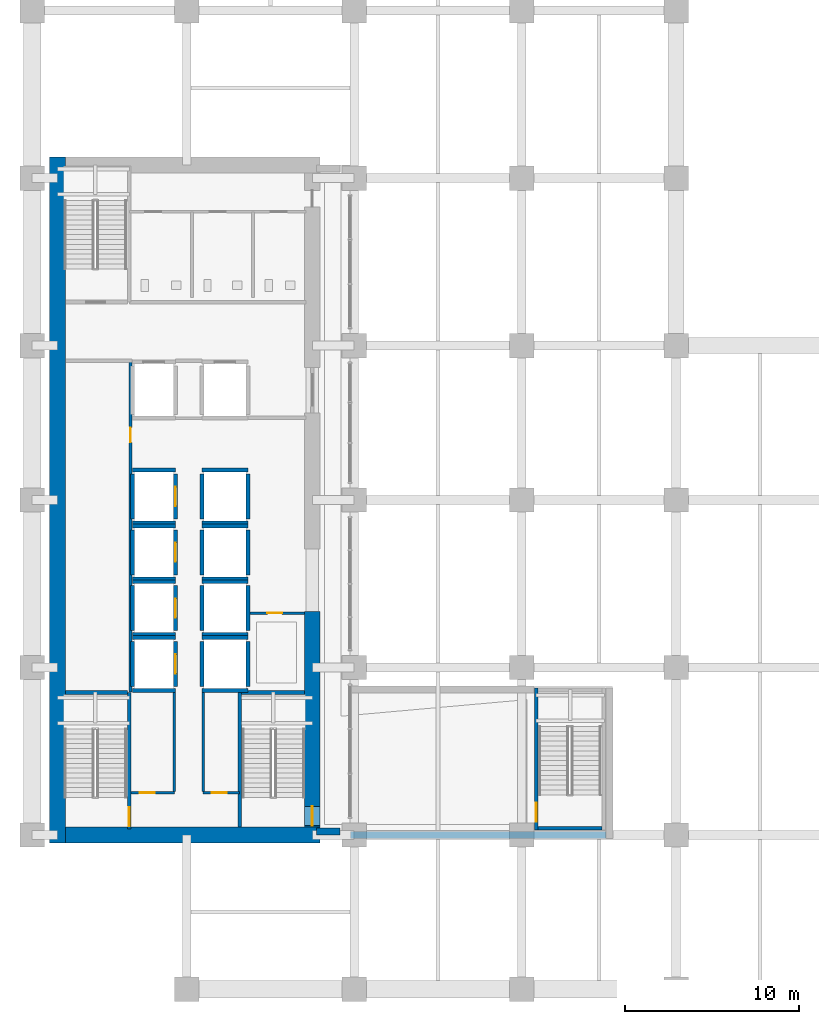
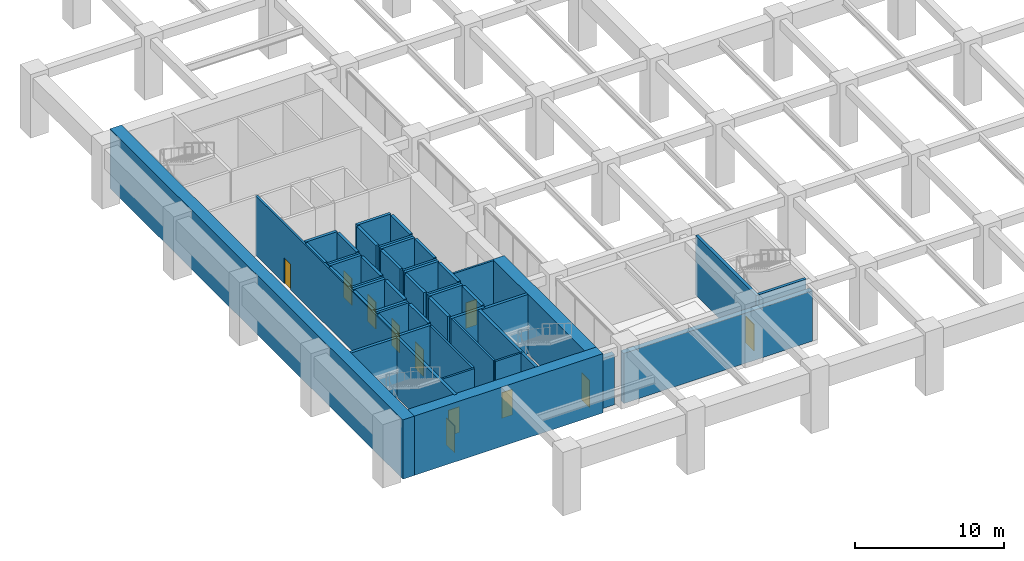
# One storey, part 5 of 22: 49 walls, 11 doors, 11 openings.
"""IFC4 building model written with IfcOpenShell, lengths in metres."""

from ifc_helpers import new_model, si_unit, direction, frame, frame_2d, origin, place, context, subcontext, project, spatial, rectangle, extrude, material, layer, layer_set, type_object, element, fill, save


model = new_model("IFC4")

# Units and contexts
model_context = context("Model", 3, precision=1e-05, world=origin(), true_north=direction((0.0, 1.0)))
body_context = subcontext(model_context, "Body", "Model", "MODEL_VIEW")
ifc_project = project(units=[si_unit("LENGTHUNIT", "METRE"), si_unit("AREAUNIT", "SQUARE_METRE"), si_unit("VOLUMEUNIT", "CUBIC_METRE"), si_unit("PLANEANGLEUNIT", "RADIAN"), si_unit("MASSUNIT", "GRAM", prefix="KILO")], contexts=[model_context])

# Site, building, storey
site_placement = place(None, origin())
site = spatial("IfcSite", under=ifc_project, at=site_placement, CompositionType="ELEMENT")
building_placement = place(site_placement, origin())
building = spatial("IfcBuilding", under=site, at=building_placement, Name="Norrvale University Quadrangle", CompositionType="ELEMENT")
storey_placement = place(building_placement, frame((0.0, 0.0, 5.199951171875)))
storey = spatial("IfcBuildingStorey", under=building, at=storey_placement, Name="L01", CompositionType="ELEMENT", Elevation=5.199951171875)

# Walls
ifc_material_1 = material(Name="Concrete C80/95", Category="concrete")
ifc_layer_1 = layer(ifc_material_1, 0.89990234375, Name="Concrete C80/95")
ifc_layer_set_1 = layer_set([ifc_layer_1], Name="Concrete C80/95")
wall_type_1 = type_object("IfcWallType", Name="Wall Core 900", PredefinedType="SHEAR", material=ifc_layer_set_1)
wall_1_placement = place(storey_placement, frame((2.64990234375, 9.60009765625, 0.0), z_axis=(0.0, 0.0, 1.0), x_axis=(1.0, 0.0, 0.0)))
element("IfcWall", 1, at=wall_1_placement, inside=storey, type_object=wall_type_1, Name="Tower Core Shear Wall L01-S", PredefinedType="SHEAR", context=body_context, shape_type="SweptSolid", body=[
    extrude(rectangle(XDim=14.60009765625, YDim=0.89990234375, at=frame_2d((7.300048828125, 0.0))), origin(), (0.0, 0.0, 1.0), 4.860107421875),
])
wall_2_placement = place(storey_placement, frame((2.199951171875, 9.14990234375, 0.0), z_axis=(0.0, 0.0, 1.0), x_axis=(0.0, 1.0, 0.0)))
element("IfcWall", 2, at=wall_2_placement, inside=storey, type_object=wall_type_1, Name="Tower Core Shear Wall L01-W", PredefinedType="SHEAR", context=body_context, shape_type="SweptSolid", body=[
    extrude(rectangle(XDim=39.300048828125, YDim=0.89990234375, at=frame_2d((19.64990234375, 0.0))), origin(), (0.0, 0.0, 1.0), 4.860107421875),
])

# Wall, opening, door
wall_3_placement = place(storey_placement, frame((16.800048828125, 10.050048828125, 0.0), z_axis=(0.0, 0.0, 1.0), x_axis=(0.0, 1.0, 0.0)))
wall_3 = element("IfcWall", 3, at=wall_3_placement, inside=storey, type_object=wall_type_1, Name="Tower Core Shear Wall L01-E1", PredefinedType="SHEAR", context=body_context, shape_type="SweptSolid", body=[
    extrude(rectangle(XDim=12.349853515625, YDim=0.89990234375, at=frame_2d((6.1748046875, 0.0))), origin(), (0.0, 0.0, 1.0), 4.860107421875),
])
opening_1_placement = place(wall_3_placement, frame((0.090087890625, 0.0, 0.0)))
opening_1 = element("IfcOpeningElement", 4, at=opening_1_placement, cuts=wall_3, Name="Opening D02", PredefinedType="OPENING", context=body_context, shape_type="SweptSolid", body=[
    extrude(rectangle(XDim=1.10009765625, YDim=2.199951171875, at=frame_2d((0.550048828125, 1.10009765625))), frame((0.0, 0.4619140625, 0.0), z_axis=(0.0, -1.0, 0.0), x_axis=(1.0, 0.0, 0.0)), (0.0, 0.0, 1.0), 0.923828125),
])
ifc_material_2 = material(Name="Hollow Steel 350W Fire Door", Category="steel")
door_type_1 = type_object("IfcDoorType", Name="Door Stair Exit 1100x2200", OperationType="NOTDEFINED", PredefinedType="DOOR", material=ifc_material_2)
door_1_placement = place(opening_1_placement, origin())
door_1 = element("IfcDoor", 5, at=door_1_placement, inside=storey, type_object=door_type_1, Name="Door Stair Exit 1100x2200 DR-L01-ST03", OperationType="SINGLE_SWING_LEFT", OverallHeight=2.199951171875, OverallWidth=1.10009765625, PredefinedType="DOOR", context=body_context, shape_type="SweptSolid", body=[
    extrude(rectangle(XDim=1.10009765625, YDim=2.199951171875, at=frame_2d((0.550048828125, 1.10009765625))), frame((0.0, 0.02490234375, 0.0), z_axis=(0.0, -1.0, 0.0), x_axis=(1.0, 0.0, 0.0)), (0.0, 0.0, 1.0), 0.050048828125),
])
fill(opening_1, door_1)

ifc_material_3 = material(Name="Fire-Rated Gypsum Stud Partition")
ifc_layer_2 = layer(ifc_material_3, 0.14990234375, Name="Fire-Rated Gypsum Stud Partition")
ifc_layer_set_2 = layer_set([ifc_layer_2], Name="Fire-Rated Gypsum Stud Partition")
wall_type_2 = type_object("IfcWallType", Name="Wall Gypsum Corridor 150", PredefinedType="PARTITIONING", material=ifc_layer_set_2)
wall_4_placement = place(storey_placement, frame((6.419921875, 12.02001953125, 0.0), z_axis=(0.0, 0.0, 1.0), x_axis=(1.0, 0.0, 0.0)))
wall_4 = element("IfcWall", 6, at=wall_4_placement, inside=storey, type_object=wall_type_2, Name="Interior Partition WL-L01-SC-NL", PredefinedType="PARTITIONING", context=body_context, shape_type="SweptSolid", body=[
    extrude(rectangle(XDim=2.47998046875, YDim=0.14990234375, at=frame_2d((1.239990234375, 0.0))), origin(), (0.0, 0.0, 1.0), 4.860107421875),
])
opening_2_placement = place(wall_4_placement, frame((0.5, 0.0, 0.0)))
opening_2 = element("IfcOpeningElement", 7, at=opening_2_placement, cuts=wall_4, Name="Opening D10", PredefinedType="OPENING", context=body_context, shape_type="SweptSolid", body=[
    extrude(rectangle(XDim=0.85009765625, YDim=2.10009765625, at=frame_2d((0.425048828125, 1.050048828125))), frame((0.0, 0.0869140625, 0.0), z_axis=(0.0, -1.0, 0.0), x_axis=(1.0, 0.0, 0.0)), (0.0, 0.0, 1.0), 0.173828125),
])
ifc_material_4 = material(Name="Hollow Steel 350W Riser Fire Door", Category="steel")
door_type_2 = type_object("IfcDoorType", Name="Door Riser 850x2100", OperationType="NOTDEFINED", PredefinedType="DOOR", material=ifc_material_4)
door_2_placement = place(opening_2_placement, origin())
door_2 = element("IfcDoor", 8, at=door_2_placement, inside=storey, type_object=door_type_2, Name="Door Riser 850x2100 DR-L01-ELEC", OperationType="SINGLE_SWING_LEFT", OverallHeight=2.10009765625, OverallWidth=0.85009765625, PredefinedType="DOOR", context=body_context, shape_type="SweptSolid", body=[
    extrude(rectangle(XDim=0.85009765625, YDim=2.10009765625, at=frame_2d((0.425048828125, 1.050048828125))), frame((0.0, 0.02490234375, 0.0), z_axis=(0.0, -1.0, 0.0), x_axis=(1.0, 0.0, 0.0)), (0.0, 0.0, 1.0), 0.050048828125),
])
fill(opening_2, door_2)

wall_5_placement = place(storey_placement, frame((10.550048828125, 12.02001953125, 0.0), z_axis=(0.0, 0.0, 1.0), x_axis=(1.0, 0.0, 0.0)))
wall_5 = element("IfcWall", 9, at=wall_5_placement, inside=storey, type_object=wall_type_2, Name="Interior Partition WL-L01-SC-NR", PredefinedType="PARTITIONING", context=body_context, shape_type="SweptSolid", body=[
    extrude(rectangle(XDim=2.079833984375, YDim=0.14990234375, at=frame_2d((1.0400390625, 0.0))), origin(), (0.0, 0.0, 1.0), 4.860107421875),
])
opening_3_placement = place(wall_5_placement, frame((0.5, 0.0, 0.0)))
opening_3 = element("IfcOpeningElement", 10, at=opening_3_placement, cuts=wall_5, Name="Opening D10", PredefinedType="OPENING", context=body_context, shape_type="SweptSolid", body=[
    extrude(rectangle(XDim=0.85009765625, YDim=2.10009765625, at=frame_2d((0.425048828125, 1.050048828125))), frame((0.0, 0.0869140625, 0.0), z_axis=(0.0, -1.0, 0.0), x_axis=(1.0, 0.0, 0.0)), (0.0, 0.0, 1.0), 0.173828125),
])
door_3_placement = place(opening_3_placement, origin())
door_3 = element("IfcDoor", 11, at=door_3_placement, inside=storey, type_object=door_type_2, Name="Door Riser 850x2100 DR-L01-IDF", OperationType="SINGLE_SWING_RIGHT", OverallHeight=2.10009765625, OverallWidth=0.85009765625, PredefinedType="DOOR", context=body_context, shape_type="SweptSolid", body=[
    extrude(rectangle(XDim=0.85009765625, YDim=2.10009765625, at=frame_2d((0.425048828125, 1.050048828125))), frame((0.0, 0.02490234375, 0.0), z_axis=(0.0, -1.0, 0.0), x_axis=(1.0, 0.0, 0.0)), (0.0, 0.0, 1.0), 0.050048828125),
])
fill(opening_3, door_3)

# Walls
for number, where, z_axis, x_axis, name in (
    (12, (8.89990234375, 12.094970703125, 0.0), (0.0, 0.0, 1.0), (0.0, 1.0, 0.0), "Interior Partition WL-L01-SC-WL"),
    (13, (10.550048828125, 12.094970703125, 0.0), (0.0, 0.0, 1.0), (0.0, 1.0, 0.0), "Interior Partition WL-L01-SC-WR"),
):
    element("IfcWall", number, at=place(storey_placement, frame(where, z_axis=z_axis, x_axis=x_axis)), inside=storey, type_object=wall_type_2, Name=name, PredefinedType="PARTITIONING", context=body_context, shape_type="SweptSolid", body=[
        extrude(rectangle(XDim=5.679931640625, YDim=0.14990234375, at=frame_2d((2.83984375, 0.0))), origin(), (0.0, 0.0, 1.0), 4.860107421875),
    ])

# Wall, opening, door
wall_6_placement = place(storey_placement, frame((13.22509765625, 22.320068359375, 0.0), z_axis=(0.0, 0.0, 1.0), x_axis=(1.0, 0.0, 0.0)))
wall_6 = element("IfcWall", 14, at=wall_6_placement, inside=storey, type_object=wall_type_2, Name="Interior Partition WL-L01-JAN-N", PredefinedType="PARTITIONING", context=body_context, shape_type="SweptSolid", body=[
    extrude(rectangle(XDim=3.119873046875, YDim=0.14990234375, at=frame_2d((1.56005859375, 0.0))), origin(), (0.0, 0.0, 1.0), 4.860107421875),
])
opening_4_placement = place(wall_6_placement, frame((1.0, 0.0, 0.0)))
opening_4 = element("IfcOpeningElement", 15, at=opening_4_placement, cuts=wall_6, Name="Opening D10", PredefinedType="OPENING", context=body_context, shape_type="SweptSolid", body=[
    extrude(rectangle(XDim=0.85009765625, YDim=2.10009765625, at=frame_2d((0.425048828125, 1.050048828125))), frame((0.0, 0.0869140625, 0.0), z_axis=(0.0, -1.0, 0.0), x_axis=(1.0, 0.0, 0.0)), (0.0, 0.0, 1.0), 0.173828125),
])
door_4_placement = place(opening_4_placement, origin())
door_4 = element("IfcDoor", 16, at=door_4_placement, inside=storey, type_object=door_type_2, Name="Door Riser 850x2100 DR-L01-JAN", OperationType="SINGLE_SWING_LEFT", OverallHeight=2.10009765625, OverallWidth=0.85009765625, PredefinedType="DOOR", context=body_context, shape_type="SweptSolid", body=[
    extrude(rectangle(XDim=0.85009765625, YDim=2.10009765625, at=frame_2d((0.425048828125, 1.050048828125))), frame((0.0, 0.02490234375, 0.0), z_axis=(0.0, -1.0, 0.0), x_axis=(1.0, 0.0, 0.0)), (0.0, 0.0, 1.0), 0.050048828125),
])
fill(opening_4, door_4)

wall_7_placement = place(storey_placement, frame((6.3798828125, 17.800048828125, 0.0), z_axis=(0.0, 0.0, 1.0), x_axis=(0.0, 1.0, 0.0)))
wall_7 = element("IfcWall", 17, at=wall_7_placement, inside=storey, type_object=wall_type_2, Name="Interior Partition WL-L01-WME-E", PredefinedType="PARTITIONING", context=body_context, shape_type="SweptSolid", body=[
    extrude(rectangle(XDim=18.97998046875, YDim=0.14990234375, at=frame_2d((9.489990234375, 0.0))), origin(), (0.0, 0.0, 1.0), 4.860107421875),
])
opening_5_placement = place(wall_7_placement, frame((14.300048828125, 0.0, 0.0)))
opening_5 = element("IfcOpeningElement", 18, at=opening_5_placement, cuts=wall_7, Name="Opening D10", PredefinedType="OPENING", context=body_context, shape_type="SweptSolid", body=[
    extrude(rectangle(XDim=0.85009765625, YDim=2.10009765625, at=frame_2d((0.425048828125, 1.050048828125))), frame((0.0, 0.0869140625, 0.0), z_axis=(0.0, -1.0, 0.0), x_axis=(1.0, 0.0, 0.0)), (0.0, 0.0, 1.0), 0.173828125),
])
door_5_placement = place(opening_5_placement, origin())
door_5 = element("IfcDoor", 19, at=door_5_placement, inside=storey, type_object=door_type_2, Name="Door Riser 850x2100 DR-L01-WME", OperationType="SINGLE_SWING_LEFT", OverallHeight=2.10009765625, OverallWidth=0.85009765625, PredefinedType="DOOR", context=body_context, shape_type="SweptSolid", body=[
    extrude(rectangle(XDim=0.85009765625, YDim=2.10009765625, at=frame_2d((0.425048828125, 1.050048828125))), frame((0.0, 0.02490234375, 0.0), z_axis=(0.0, -1.0, 0.0), x_axis=(1.0, 0.0, 0.0)), (0.0, 0.0, 1.0), 0.050048828125),
])
fill(opening_5, door_5)

# Walls
ifc_material_5 = material(Name="Red Manganese Brick Masonry", Category="masonry")
ifc_layer_3 = layer(ifc_material_5, 0.39990234375, Name="Red Manganese Brick Masonry")
ifc_layer_set_3 = layer_set([ifc_layer_3], Name="Red Manganese Brick Masonry")
wall_type_3 = type_object("IfcWallType", Name="Wall Red Brick 400", PredefinedType="SOLIDWALL", material=ifc_layer_set_3)
wall_8_placement = place(storey_placement, frame((17.050048828125, 9.800048828125, 0.0), z_axis=(0.0, 0.0, 1.0), x_axis=(1.0, 0.0, 0.0)))
element("IfcWall", 20, at=wall_8_placement, inside=storey, type_object=wall_type_3, Name="Pilotis Lobby South End Wall L01", PredefinedType="SOLIDWALL", context=body_context, shape_type="SweptSolid", body=[
    extrude(rectangle(XDim=1.349853515625, YDim=0.39990234375, at=frame_2d((0.6748046875, 0.0))), origin(), (0.0, 0.0, 1.0), 4.110107421875),
])
wall_9_placement = place(storey_placement, frame((19.0, 9.60009765625, 0.0), z_axis=(0.0, 0.0, 1.0), x_axis=(1.0, 0.0, 0.0)))
element("IfcWall", 21, at=wall_9_placement, inside=storey, type_object=wall_type_3, Name="East Stair Mezzanine South Wall", PredefinedType="SOLIDWALL", context=body_context, shape_type="SweptSolid", body=[
    extrude(rectangle(XDim=14.625, YDim=0.39990234375, at=frame_2d((7.3125, 0.0))), origin(), (0.0, 0.0, 1.0), 4.110107421875),
])

# Wall, opening, door
ifc_material_6 = material(Name="Concrete Blockwork 20 MPa Fire Shaft", Category="masonry")
ifc_layer_4 = layer(ifc_material_6, 0.219970703125, Name="Concrete Blockwork 20 MPa Fire Shaft")
ifc_layer_set_4 = layer_set([ifc_layer_4], Name="Concrete Blockwork 20 MPa Fire Shaft")
wall_type_4 = type_object("IfcWallType", Name="Wall Shaft 220", PredefinedType="SOLIDWALL", material=ifc_layer_set_4)
wall_10_placement = place(storey_placement, frame((6.31005859375, 9.949951171875, 0.0), z_axis=(0.0, 0.0, 1.0), x_axis=(0.0, 1.0, 0.0)))
wall_10 = element("IfcWall", 22, at=wall_10_placement, inside=storey, type_object=wall_type_4, Name="Stair ST-01 East Shaft Wall L01", PredefinedType="SOLIDWALL", context=body_context, shape_type="SweptSolid", body=[
    extrude(rectangle(XDim=7.81005859375, YDim=0.219970703125, at=frame_2d((3.905029296875, 0.0))), origin(), (0.0, 0.0, 1.0), 4.860107421875),
])
opening_6_placement = place(wall_10_placement, frame((0.139892578125, 0.0, 0.0)))
opening_6 = element("IfcOpeningElement", 23, at=opening_6_placement, cuts=wall_10, Name="Opening D02", PredefinedType="OPENING", context=body_context, shape_type="SweptSolid", body=[
    extrude(rectangle(XDim=1.10009765625, YDim=2.199951171875, at=frame_2d((0.550048828125, 1.10009765625))), frame((0.0, 0.1220703125, 0.0), z_axis=(0.0, -1.0, 0.0), x_axis=(1.0, 0.0, 0.0)), (0.0, 0.0, 1.0), 0.243896484375),
])
door_6_placement = place(opening_6_placement, origin())
door_6 = element("IfcDoor", 24, at=door_6_placement, inside=storey, type_object=door_type_1, Name="Door Stair Exit 1100x2200 DR-L01-ST01", OperationType="SINGLE_SWING_LEFT", OverallHeight=2.199951171875, OverallWidth=1.10009765625, PredefinedType="DOOR", context=body_context, shape_type="SweptSolid", body=[
    extrude(rectangle(XDim=1.10009765625, YDim=2.199951171875, at=frame_2d((0.550048828125, 1.10009765625))), frame((0.0, 0.02490234375, 0.0), z_axis=(0.0, -1.0, 0.0), x_axis=(1.0, 0.0, 0.0)), (0.0, 0.0, 1.0), 0.050048828125),
])
fill(opening_6, door_6)

# Walls
wall_11_placement = place(storey_placement, frame((2.64990234375, 17.760009765625, 0.0), z_axis=(0.0, 0.0, 1.0), x_axis=(1.0, 0.0, 0.0)))
element("IfcWall", 25, at=wall_11_placement, inside=storey, type_object=wall_type_4, Name="Stair ST-01 North Shaft Wall L01", PredefinedType="SOLIDWALL", context=body_context, shape_type="SweptSolid", body=[
    extrude(rectangle(XDim=3.550048828125, YDim=0.219970703125, at=frame_2d((1.77490234375, 0.0))), origin(), (0.0, 0.0, 1.0), 4.860107421875),
])
wall_12_placement = place(storey_placement, frame((12.639892578125, 10.050048828125, 0.0), z_axis=(0.0, 0.0, 1.0), x_axis=(0.0, 1.0, 0.0)))
element("IfcWall", 26, at=wall_12_placement, inside=storey, type_object=wall_type_4, Name="Stair ST-03 West Shaft Wall L01", PredefinedType="SOLIDWALL", context=body_context, shape_type="SweptSolid", body=[
    extrude(rectangle(XDim=7.7099609375, YDim=0.219970703125, at=frame_2d((3.85498046875, 0.0))), origin(), (0.0, 0.0, 1.0), 4.860107421875),
])
wall_13_placement = place(storey_placement, frame((12.75, 17.760009765625, 0.0), z_axis=(0.0, 0.0, 1.0), x_axis=(1.0, 0.0, 0.0)))
element("IfcWall", 27, at=wall_13_placement, inside=storey, type_object=wall_type_4, Name="Stair ST-03 North Shaft Wall L01", PredefinedType="SOLIDWALL", context=body_context, shape_type="SweptSolid", body=[
    extrude(rectangle(XDim=3.60009765625, YDim=0.219970703125, at=frame_2d((1.800048828125, 0.0))), origin(), (0.0, 0.0, 1.0), 4.860107421875),
])
wall_14_placement = place(storey_placement, frame((29.75, 9.989990234375, 0.0), z_axis=(0.0, 0.0, 1.0), x_axis=(1.0, 0.0, 0.0)))
element("IfcWall", 28, at=wall_14_placement, inside=storey, type_object=wall_type_4, Name="Stair ST-04 South Shaft Wall L01", PredefinedType="SOLIDWALL", context=body_context, shape_type="SweptSolid", body=[
    extrude(rectangle(XDim=3.64990234375, YDim=0.219970703125, at=frame_2d((1.824951171875, 0.0))), origin(), (0.0, 0.0, 1.0), 4.860107421875),
])

# Wall, opening, door
wall_15_placement = place(storey_placement, frame((29.639892578125, 9.8798828125, 0.0), z_axis=(0.0, 0.0, 1.0), x_axis=(0.0, 1.0, 0.0)))
wall_15 = element("IfcWall", 29, at=wall_15_placement, inside=storey, type_object=wall_type_4, Name="Stair ST-04 West Shaft Wall L01", PredefinedType="SOLIDWALL", context=body_context, shape_type="SweptSolid", body=[
    extrude(rectangle(XDim=8.14013671875, YDim=0.219970703125, at=frame_2d((4.070068359375, 0.0))), origin(), (0.0, 0.0, 1.0), 4.860107421875),
])
opening_7_placement = place(wall_15_placement, frame((0.469970703125, 0.0, 0.0)))
opening_7 = element("IfcOpeningElement", 30, at=opening_7_placement, cuts=wall_15, Name="Opening D02", PredefinedType="OPENING", context=body_context, shape_type="SweptSolid", body=[
    extrude(rectangle(XDim=1.10009765625, YDim=2.199951171875, at=frame_2d((0.550048828125, 1.10009765625))), frame((0.0, 0.1220703125, 0.0), z_axis=(0.0, -1.0, 0.0), x_axis=(1.0, 0.0, 0.0)), (0.0, 0.0, 1.0), 0.243896484375),
])
door_7_placement = place(opening_7_placement, frame((1.10009765625, 0.0, 0.0), z_axis=(0.0, 0.0, 1.0), x_axis=(-1.0, 0.0, 0.0)))
door_7 = element("IfcDoor", 31, at=door_7_placement, inside=storey, type_object=door_type_1, Name="Door Stair Exit 1100x2200 DR-L01-ST04", OperationType="SINGLE_SWING_RIGHT", OverallHeight=2.199951171875, OverallWidth=1.10009765625, PredefinedType="DOOR", context=body_context, shape_type="SweptSolid", body=[
    extrude(rectangle(XDim=1.10009765625, YDim=2.199951171875, at=frame_2d((0.550048828125, 1.10009765625))), frame((0.0, 0.02490234375, 0.0), z_axis=(0.0, -1.0, 0.0), x_axis=(1.0, 0.0, 0.0)), (0.0, 0.0, 1.0), 0.050048828125),
])
fill(opening_7, door_7)

# Wall
wall_16_placement = place(storey_placement, frame((6.489990234375, 18.110107421875, 0.0), z_axis=(0.0, 0.0, 1.0), x_axis=(0.0, 1.0, 0.0)))
element("IfcWall", 32, at=wall_16_placement, inside=storey, type_object=wall_type_4, Name="Hoistway PL-01 West Wall L01", PredefinedType="SOLIDWALL", context=body_context, shape_type="SweptSolid", body=[
    extrude(rectangle(XDim=2.579833984375, YDim=0.219970703125, at=frame_2d((1.2900390625, 0.0))), origin(), (0.0, 0.0, 1.0), 4.860107421875),
])

# Wall, opening, door
wall_17_placement = place(storey_placement, frame((8.9599609375, 18.110107421875, 0.0), z_axis=(0.0, 0.0, 1.0), x_axis=(0.0, 1.0, 0.0)))
wall_17 = element("IfcWall", 33, at=wall_17_placement, inside=storey, type_object=wall_type_4, Name="Hoistway PL-01 East Wall L01", PredefinedType="SOLIDWALL", context=body_context, shape_type="SweptSolid", body=[
    extrude(rectangle(XDim=2.579833984375, YDim=0.219970703125, at=frame_2d((1.2900390625, 0.0))), origin(), (0.0, 0.0, 1.0), 4.860107421875),
])
opening_8_placement = place(wall_17_placement, frame((0.739990234375, 0.0, 0.0)))
opening_8 = element("IfcOpeningElement", 34, at=opening_8_placement, cuts=wall_17, Name="Opening LD1", PredefinedType="OPENING", context=body_context, shape_type="SweptSolid", body=[
    extrude(rectangle(XDim=1.10009765625, YDim=2.199951171875, at=frame_2d((0.550048828125, 1.10009765625))), frame((0.0, 0.1220703125, 0.0), z_axis=(0.0, -1.0, 0.0), x_axis=(1.0, 0.0, 0.0)), (0.0, 0.0, 1.0), 0.243896484375),
])
ifc_material_7 = material(Name="Stainless Steel 316L Lift Landing Door", Category="steel")
door_type_3 = type_object("IfcDoorType", Name="Door Lift Landing 1100x2200", OperationType="DOUBLE_DOOR_SLIDING", PredefinedType="DOOR", material=ifc_material_7)
door_8_placement = place(opening_8_placement, origin())
door_8 = element("IfcDoor", 35, at=door_8_placement, inside=storey, type_object=door_type_3, Name="Elevator Landing Door DR-L01-PL-01", OperationType="DOUBLE_DOOR_SLIDING", OverallHeight=2.199951171875, OverallWidth=1.10009765625, PredefinedType="DOOR", context=body_context, shape_type="SweptSolid", body=[
    extrude(rectangle(XDim=1.10009765625, YDim=2.199951171875, at=frame_2d((0.550048828125, 1.10009765625))), frame((0.0, 0.02490234375, 0.0), z_axis=(0.0, -1.0, 0.0), x_axis=(1.0, 0.0, 0.0)), (0.0, 0.0, 1.0), 0.050048828125),
])
fill(opening_8, door_8)

# Walls
for number, where, z_axis, x_axis, name in (
    (36, (6.489990234375, 17.889892578125, 0.0), (0.0, 0.0, 1.0), (1.0, 0.0, 0.0), "Hoistway PL-01 South Wall L01"),
    (37, (6.489990234375, 20.909912109375, 0.0), (0.0, 0.0, 1.0), (1.0, 0.0, 0.0), "Hoistway PL-01 North Wall L01"),
):
    element("IfcWall", number, at=place(storey_placement, frame(where, z_axis=z_axis, x_axis=x_axis)), inside=storey, type_object=wall_type_4, Name=name, PredefinedType="SOLIDWALL", context=body_context, shape_type="SweptSolid", body=[
        extrude(rectangle(XDim=2.469970703125, YDim=0.219970703125, at=frame_2d((1.23486328125, 0.0))), origin(), (0.0, 0.0, 1.0), 4.860107421875),
    ])
wall_18_placement = place(storey_placement, frame((6.489990234375, 21.31005859375, 0.0), z_axis=(0.0, 0.0, 1.0), x_axis=(0.0, 1.0, 0.0)))
element("IfcWall", 38, at=wall_18_placement, inside=storey, type_object=wall_type_4, Name="Hoistway PL-02 West Wall L01", PredefinedType="SOLIDWALL", context=body_context, shape_type="SweptSolid", body=[
    extrude(rectangle(XDim=2.579833984375, YDim=0.219970703125, at=frame_2d((1.2900390625, 0.0))), origin(), (0.0, 0.0, 1.0), 4.860107421875),
])

# Wall, opening, door
wall_19_placement = place(storey_placement, frame((8.9599609375, 21.31005859375, 0.0), z_axis=(0.0, 0.0, 1.0), x_axis=(0.0, 1.0, 0.0)))
wall_19 = element("IfcWall", 39, at=wall_19_placement, inside=storey, type_object=wall_type_4, Name="Hoistway PL-02 East Wall L01", PredefinedType="SOLIDWALL", context=body_context, shape_type="SweptSolid", body=[
    extrude(rectangle(XDim=2.579833984375, YDim=0.219970703125, at=frame_2d((1.2900390625, 0.0))), origin(), (0.0, 0.0, 1.0), 4.860107421875),
])
opening_9_placement = place(wall_19_placement, frame((0.739990234375, 0.0, 0.0)))
opening_9 = element("IfcOpeningElement", 40, at=opening_9_placement, cuts=wall_19, Name="Opening LD1", PredefinedType="OPENING", context=body_context, shape_type="SweptSolid", body=[
    extrude(rectangle(XDim=1.10009765625, YDim=2.199951171875, at=frame_2d((0.550048828125, 1.10009765625))), frame((0.0, 0.1220703125, 0.0), z_axis=(0.0, -1.0, 0.0), x_axis=(1.0, 0.0, 0.0)), (0.0, 0.0, 1.0), 0.243896484375),
])
door_9_placement = place(opening_9_placement, origin())
door_9 = element("IfcDoor", 41, at=door_9_placement, inside=storey, type_object=door_type_3, Name="Elevator Landing Door DR-L01-PL-02", OperationType="DOUBLE_DOOR_SLIDING", OverallHeight=2.199951171875, OverallWidth=1.10009765625, PredefinedType="DOOR", context=body_context, shape_type="SweptSolid", body=[
    extrude(rectangle(XDim=1.10009765625, YDim=2.199951171875, at=frame_2d((0.550048828125, 1.10009765625))), frame((0.0, 0.02490234375, 0.0), z_axis=(0.0, -1.0, 0.0), x_axis=(1.0, 0.0, 0.0)), (0.0, 0.0, 1.0), 0.050048828125),
])
fill(opening_9, door_9)

# Walls
for number, where, z_axis, x_axis, name in (
    (42, (6.489990234375, 21.090087890625, 0.0), (0.0, 0.0, 1.0), (1.0, 0.0, 0.0), "Hoistway PL-02 South Wall L01"),
    (43, (6.489990234375, 24.110107421875, 0.0), (0.0, 0.0, 1.0), (1.0, 0.0, 0.0), "Hoistway PL-02 North Wall L01"),
):
    element("IfcWall", number, at=place(storey_placement, frame(where, z_axis=z_axis, x_axis=x_axis)), inside=storey, type_object=wall_type_4, Name=name, PredefinedType="SOLIDWALL", context=body_context, shape_type="SweptSolid", body=[
        extrude(rectangle(XDim=2.469970703125, YDim=0.219970703125, at=frame_2d((1.23486328125, 0.0))), origin(), (0.0, 0.0, 1.0), 4.860107421875),
    ])
wall_20_placement = place(storey_placement, frame((6.489990234375, 24.510009765625, 0.0), z_axis=(0.0, 0.0, 1.0), x_axis=(0.0, 1.0, 0.0)))
element("IfcWall", 44, at=wall_20_placement, inside=storey, type_object=wall_type_4, Name="Hoistway PL-03 West Wall L01", PredefinedType="SOLIDWALL", context=body_context, shape_type="SweptSolid", body=[
    extrude(rectangle(XDim=2.580078125, YDim=0.219970703125, at=frame_2d((1.2900390625, 0.0))), origin(), (0.0, 0.0, 1.0), 4.860107421875),
])

# Wall, opening, door
wall_21_placement = place(storey_placement, frame((8.9599609375, 24.510009765625, 0.0), z_axis=(0.0, 0.0, 1.0), x_axis=(0.0, 1.0, 0.0)))
wall_21 = element("IfcWall", 45, at=wall_21_placement, inside=storey, type_object=wall_type_4, Name="Hoistway PL-03 East Wall L01", PredefinedType="SOLIDWALL", context=body_context, shape_type="SweptSolid", body=[
    extrude(rectangle(XDim=2.580078125, YDim=0.219970703125, at=frame_2d((1.2900390625, 0.0))), origin(), (0.0, 0.0, 1.0), 4.860107421875),
])
opening_10_placement = place(wall_21_placement, frame((0.739990234375, 0.0, 0.0)))
opening_10 = element("IfcOpeningElement", 46, at=opening_10_placement, cuts=wall_21, Name="Opening LD1", PredefinedType="OPENING", context=body_context, shape_type="SweptSolid", body=[
    extrude(rectangle(XDim=1.10009765625, YDim=2.199951171875, at=frame_2d((0.550048828125, 1.10009765625))), frame((0.0, 0.1220703125, 0.0), z_axis=(0.0, -1.0, 0.0), x_axis=(1.0, 0.0, 0.0)), (0.0, 0.0, 1.0), 0.243896484375),
])
door_10_placement = place(opening_10_placement, origin())
door_10 = element("IfcDoor", 47, at=door_10_placement, inside=storey, type_object=door_type_3, Name="Elevator Landing Door DR-L01-PL-03", OperationType="DOUBLE_DOOR_SLIDING", OverallHeight=2.199951171875, OverallWidth=1.10009765625, PredefinedType="DOOR", context=body_context, shape_type="SweptSolid", body=[
    extrude(rectangle(XDim=1.10009765625, YDim=2.199951171875, at=frame_2d((0.550048828125, 1.10009765625))), frame((0.0, 0.02490234375, 0.0), z_axis=(0.0, -1.0, 0.0), x_axis=(1.0, 0.0, 0.0)), (0.0, 0.0, 1.0), 0.050048828125),
])
fill(opening_10, door_10)

# Walls
for number, where, z_axis, x_axis, name in (
    (48, (6.489990234375, 24.2900390625, 0.0), (0.0, 0.0, 1.0), (1.0, 0.0, 0.0), "Hoistway PL-03 South Wall L01"),
    (49, (6.489990234375, 27.31005859375, 0.0), (0.0, 0.0, 1.0), (1.0, 0.0, 0.0), "Hoistway PL-03 North Wall L01"),
):
    element("IfcWall", number, at=place(storey_placement, frame(where, z_axis=z_axis, x_axis=x_axis)), inside=storey, type_object=wall_type_4, Name=name, PredefinedType="SOLIDWALL", context=body_context, shape_type="SweptSolid", body=[
        extrude(rectangle(XDim=2.469970703125, YDim=0.219970703125, at=frame_2d((1.23486328125, 0.0))), origin(), (0.0, 0.0, 1.0), 4.860107421875),
    ])
wall_22_placement = place(storey_placement, frame((6.489990234375, 27.7099609375, 0.0), z_axis=(0.0, 0.0, 1.0), x_axis=(0.0, 1.0, 0.0)))
element("IfcWall", 50, at=wall_22_placement, inside=storey, type_object=wall_type_4, Name="Hoistway PL-04 West Wall L01", PredefinedType="SOLIDWALL", context=body_context, shape_type="SweptSolid", body=[
    extrude(rectangle(XDim=2.580078125, YDim=0.219970703125, at=frame_2d((1.2900390625, 0.0))), origin(), (0.0, 0.0, 1.0), 4.860107421875),
])

# Wall, opening, door
wall_23_placement = place(storey_placement, frame((8.9599609375, 27.7099609375, 0.0), z_axis=(0.0, 0.0, 1.0), x_axis=(0.0, 1.0, 0.0)))
wall_23 = element("IfcWall", 51, at=wall_23_placement, inside=storey, type_object=wall_type_4, Name="Hoistway PL-04 East Wall L01", PredefinedType="SOLIDWALL", context=body_context, shape_type="SweptSolid", body=[
    extrude(rectangle(XDim=2.580078125, YDim=0.219970703125, at=frame_2d((1.2900390625, 0.0))), origin(), (0.0, 0.0, 1.0), 4.860107421875),
])
opening_11_placement = place(wall_23_placement, frame((0.739990234375, 0.0, 0.0)))
opening_11 = element("IfcOpeningElement", 52, at=opening_11_placement, cuts=wall_23, Name="Opening LD1", PredefinedType="OPENING", context=body_context, shape_type="SweptSolid", body=[
    extrude(rectangle(XDim=1.10009765625, YDim=2.199951171875, at=frame_2d((0.550048828125, 1.10009765625))), frame((0.0, 0.1220703125, 0.0), z_axis=(0.0, -1.0, 0.0), x_axis=(1.0, 0.0, 0.0)), (0.0, 0.0, 1.0), 0.243896484375),
])
door_11_placement = place(opening_11_placement, origin())
door_11 = element("IfcDoor", 53, at=door_11_placement, inside=storey, type_object=door_type_3, Name="Elevator Landing Door DR-L01-PL-04", OperationType="DOUBLE_DOOR_SLIDING", OverallHeight=2.199951171875, OverallWidth=1.10009765625, PredefinedType="DOOR", context=body_context, shape_type="SweptSolid", body=[
    extrude(rectangle(XDim=1.10009765625, YDim=2.199951171875, at=frame_2d((0.550048828125, 1.10009765625))), frame((0.0, 0.02490234375, 0.0), z_axis=(0.0, -1.0, 0.0), x_axis=(1.0, 0.0, 0.0)), (0.0, 0.0, 1.0), 0.050048828125),
])
fill(opening_11, door_11)

# Walls
for number, where, z_axis, x_axis, name in (
    (54, (6.489990234375, 27.489990234375, 0.0), (0.0, 0.0, 1.0), (1.0, 0.0, 0.0), "Hoistway PL-04 South Wall L01"),
    (55, (6.489990234375, 30.510009765625, 0.0), (0.0, 0.0, 1.0), (1.0, 0.0, 0.0), "Hoistway PL-04 North Wall L01"),
):
    element("IfcWall", number, at=place(storey_placement, frame(where, z_axis=z_axis, x_axis=x_axis)), inside=storey, type_object=wall_type_4, Name=name, PredefinedType="SOLIDWALL", context=body_context, shape_type="SweptSolid", body=[
        extrude(rectangle(XDim=2.469970703125, YDim=0.219970703125, at=frame_2d((1.23486328125, 0.0))), origin(), (0.0, 0.0, 1.0), 4.860107421875),
    ])
for number, where, z_axis, x_axis, name in (
    (56, (10.489990234375, 18.110107421875, 0.0), (0.0, 0.0, 1.0), (0.0, 1.0, 0.0), "Hoistway PL-05 West Wall L01"),
    (57, (13.110107421875, 18.110107421875, 0.0), (0.0, 0.0, 1.0), (0.0, 1.0, 0.0), "Hoistway PL-05 East Wall L01"),
):
    element("IfcWall", number, at=place(storey_placement, frame(where, z_axis=z_axis, x_axis=x_axis)), inside=storey, type_object=wall_type_4, Name=name, PredefinedType="SOLIDWALL", context=body_context, shape_type="SweptSolid", body=[
        extrude(rectangle(XDim=2.579833984375, YDim=0.219970703125, at=frame_2d((1.2900390625, 0.0))), origin(), (0.0, 0.0, 1.0), 4.860107421875),
    ])
for number, where, z_axis, x_axis, name in (
    (58, (10.489990234375, 17.889892578125, 0.0), (0.0, 0.0, 1.0), (1.0, 0.0, 0.0), "Hoistway PL-05 South Wall L01"),
    (59, (10.489990234375, 20.909912109375, 0.0), (0.0, 0.0, 1.0), (1.0, 0.0, 0.0), "Hoistway PL-05 North Wall L01"),
):
    element("IfcWall", number, at=place(storey_placement, frame(where, z_axis=z_axis, x_axis=x_axis)), inside=storey, type_object=wall_type_4, Name=name, PredefinedType="SOLIDWALL", context=body_context, shape_type="SweptSolid", body=[
        extrude(rectangle(XDim=2.6201171875, YDim=0.219970703125, at=frame_2d((1.31005859375, 0.0))), origin(), (0.0, 0.0, 1.0), 4.860107421875),
    ])
for number, where, z_axis, x_axis, name in (
    (60, (10.489990234375, 21.31005859375, 0.0), (0.0, 0.0, 1.0), (0.0, 1.0, 0.0), "Hoistway PL-06 West Wall L01"),
    (61, (13.110107421875, 21.31005859375, 0.0), (0.0, 0.0, 1.0), (0.0, 1.0, 0.0), "Hoistway PL-06 East Wall L01"),
):
    element("IfcWall", number, at=place(storey_placement, frame(where, z_axis=z_axis, x_axis=x_axis)), inside=storey, type_object=wall_type_4, Name=name, PredefinedType="SOLIDWALL", context=body_context, shape_type="SweptSolid", body=[
        extrude(rectangle(XDim=2.579833984375, YDim=0.219970703125, at=frame_2d((1.2900390625, 0.0))), origin(), (0.0, 0.0, 1.0), 4.860107421875),
    ])
for number, where, z_axis, x_axis, name in (
    (62, (10.489990234375, 21.090087890625, 0.0), (0.0, 0.0, 1.0), (1.0, 0.0, 0.0), "Hoistway PL-06 South Wall L01"),
    (63, (10.489990234375, 24.110107421875, 0.0), (0.0, 0.0, 1.0), (1.0, 0.0, 0.0), "Hoistway PL-06 North Wall L01"),
):
    element("IfcWall", number, at=place(storey_placement, frame(where, z_axis=z_axis, x_axis=x_axis)), inside=storey, type_object=wall_type_4, Name=name, PredefinedType="SOLIDWALL", context=body_context, shape_type="SweptSolid", body=[
        extrude(rectangle(XDim=2.6201171875, YDim=0.219970703125, at=frame_2d((1.31005859375, 0.0))), origin(), (0.0, 0.0, 1.0), 4.860107421875),
    ])
for number, where, z_axis, x_axis, name in (
    (64, (10.489990234375, 24.510009765625, 0.0), (0.0, 0.0, 1.0), (0.0, 1.0, 0.0), "Hoistway PL-07 West Wall L01"),
    (65, (13.110107421875, 24.510009765625, 0.0), (0.0, 0.0, 1.0), (0.0, 1.0, 0.0), "Hoistway PL-07 East Wall L01"),
):
    element("IfcWall", number, at=place(storey_placement, frame(where, z_axis=z_axis, x_axis=x_axis)), inside=storey, type_object=wall_type_4, Name=name, PredefinedType="SOLIDWALL", context=body_context, shape_type="SweptSolid", body=[
        extrude(rectangle(XDim=2.580078125, YDim=0.219970703125, at=frame_2d((1.2900390625, 0.0))), origin(), (0.0, 0.0, 1.0), 4.860107421875),
    ])
for number, where, z_axis, x_axis, name in (
    (66, (10.489990234375, 24.2900390625, 0.0), (0.0, 0.0, 1.0), (1.0, 0.0, 0.0), "Hoistway PL-07 South Wall L01"),
    (67, (10.489990234375, 27.31005859375, 0.0), (0.0, 0.0, 1.0), (1.0, 0.0, 0.0), "Hoistway PL-07 North Wall L01"),
):
    element("IfcWall", number, at=place(storey_placement, frame(where, z_axis=z_axis, x_axis=x_axis)), inside=storey, type_object=wall_type_4, Name=name, PredefinedType="SOLIDWALL", context=body_context, shape_type="SweptSolid", body=[
        extrude(rectangle(XDim=2.6201171875, YDim=0.219970703125, at=frame_2d((1.31005859375, 0.0))), origin(), (0.0, 0.0, 1.0), 4.860107421875),
    ])
for number, where, z_axis, x_axis, name in (
    (68, (10.489990234375, 27.7099609375, 0.0), (0.0, 0.0, 1.0), (0.0, 1.0, 0.0), "Hoistway PL-08 West Wall L01"),
    (69, (13.110107421875, 27.7099609375, 0.0), (0.0, 0.0, 1.0), (0.0, 1.0, 0.0), "Hoistway PL-08 East Wall L01"),
):
    element("IfcWall", number, at=place(storey_placement, frame(where, z_axis=z_axis, x_axis=x_axis)), inside=storey, type_object=wall_type_4, Name=name, PredefinedType="SOLIDWALL", context=body_context, shape_type="SweptSolid", body=[
        extrude(rectangle(XDim=2.580078125, YDim=0.219970703125, at=frame_2d((1.2900390625, 0.0))), origin(), (0.0, 0.0, 1.0), 4.860107421875),
    ])
for number, where, z_axis, x_axis, name in (
    (70, (10.489990234375, 27.489990234375, 0.0), (0.0, 0.0, 1.0), (1.0, 0.0, 0.0), "Hoistway PL-08 South Wall L01"),
    (71, (10.489990234375, 30.510009765625, 0.0), (0.0, 0.0, 1.0), (1.0, 0.0, 0.0), "Hoistway PL-08 North Wall L01"),
):
    element("IfcWall", number, at=place(storey_placement, frame(where, z_axis=z_axis, x_axis=x_axis)), inside=storey, type_object=wall_type_4, Name=name, PredefinedType="SOLIDWALL", context=body_context, shape_type="SweptSolid", body=[
        extrude(rectangle(XDim=2.6201171875, YDim=0.219970703125, at=frame_2d((1.31005859375, 0.0))), origin(), (0.0, 0.0, 1.0), 4.860107421875),
    ])

save(model, "model.ifc")
